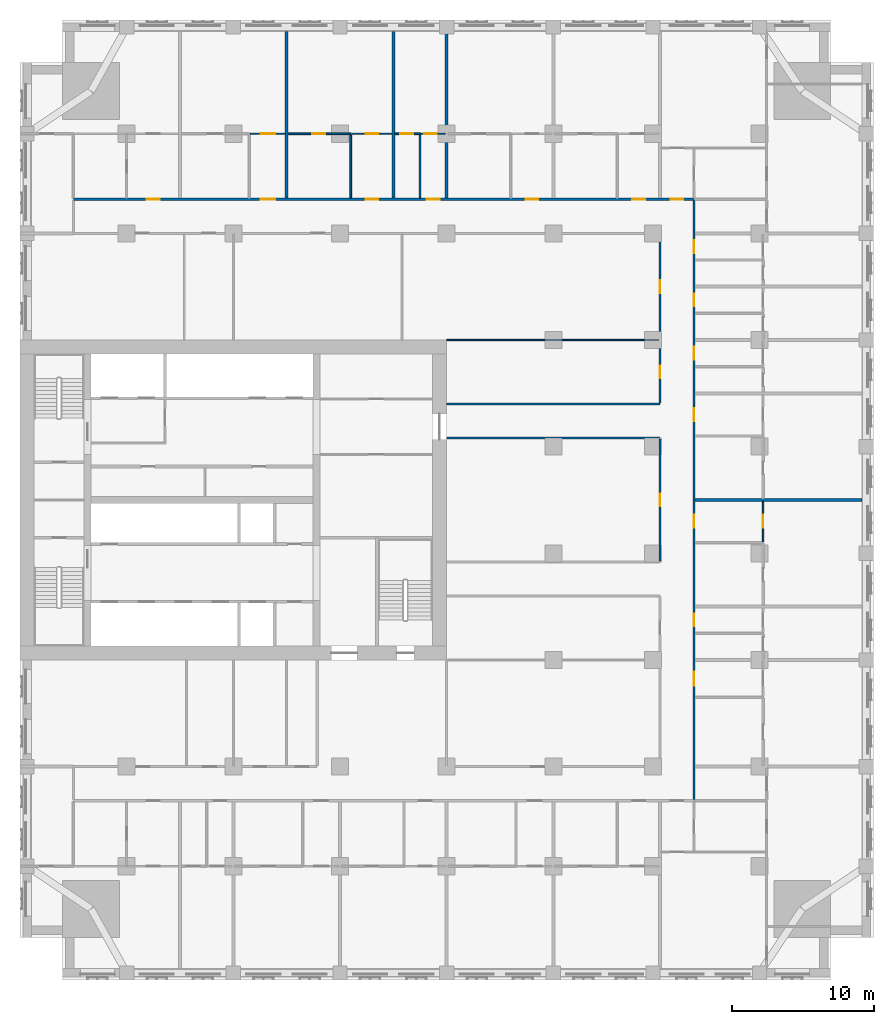
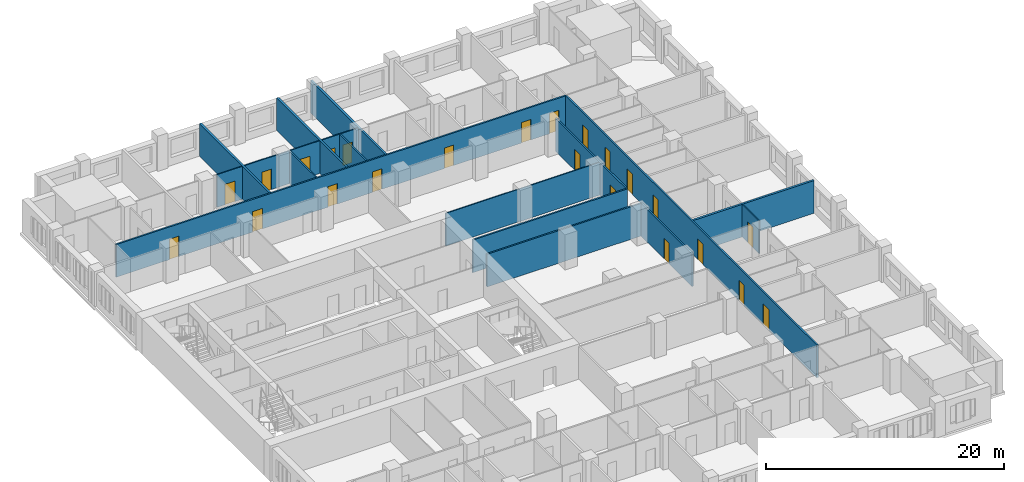
# One storey, part 9 of 14: 23 doors, 19 walls, 23 openings.
"""IFC4 building model written with IfcOpenShell, lengths in metres."""

import ifcopenshell
import ifcopenshell.guid

model = None  # the IFC model being written
_history = None  # IfcOwnerHistory: only IFC2X3 demands one
_inside = {}  # id of a spatial element -> (the spatial element, [elements in it])
_under = {}  # id of a project, library or spatial element -> (it, [spatial elements below it])
_declared = {}  # id of a project -> (the project, [libraries it declares])
_typed = {}  # id of a type object -> (the type object, [elements of that type])
_made_of = {}  # id of a material, layer set ... -> (it, [elements and type objects made of it])


def new_model(schema):
    """Start an empty IFC model of exactly this schema.

    Asked for "IFC4X3", IfcOpenShell would pick the latest addendum, in which some entities
    have other attributes; the version numbers below select the first issue.
    IFC2X3 requires an IfcOwnerHistory on every rooted entity: one is made here for all.
    """
    global model, _history
    if schema == "IFC4X3":
        model = ifcopenshell.file(schema_version=(4, 3, 0, 0))
    else:
        model = ifcopenshell.file(schema=schema)
    _inside.clear()
    _under.clear()
    _declared.clear()
    _typed.clear()
    _made_of.clear()
    _history = None
    if model.schema == "IFC2X3":
        org = make("IfcOrganization", Name="unknown")
        user = make(
            "IfcPersonAndOrganization",
            ThePerson=make("IfcPerson", FamilyName="unknown"),
            TheOrganization=org,
        )
        app = make(
            "IfcApplication",
            ApplicationDeveloper=org,
            Version="unknown",
            ApplicationFullName="unknown",
            ApplicationIdentifier="unknown",
        )
        _history = make(
            "IfcOwnerHistory",
            OwningUser=user,
            OwningApplication=app,
            ChangeAction="ADDED",
            CreationDate=0,
        )
    return model


def make(cls, **values):
    """One entity of the class cls with the attributes given. An attribute that is None is left unset."""
    return model.create_entity(
        cls, **{name: value for name, value in values.items() if value is not None}
    )


def rooted(cls, **values):
    """An entity with a GlobalId (a new one), such as an element, a storey or a relation."""
    return make(cls, GlobalId=ifcopenshell.guid.new(), OwnerHistory=_history, **values)


def si_unit(unit_type, name, prefix=None):
    """IfcSIUnit, for example si_unit("LENGTHUNIT", "METRE", prefix="MILLI")."""
    return make("IfcSIUnit", UnitType=unit_type, Prefix=prefix, Name=name)


def assignment(units):
    """IfcUnitAssignment: the units of a project."""
    return None if units is None else make("IfcUnitAssignment", Units=units)


def point(xyz):
    """IfcCartesianPoint."""
    return None if xyz is None else make("IfcCartesianPoint", Coordinates=xyz)


def direction(xyz):
    """IfcDirection."""
    return None if xyz is None else make("IfcDirection", DirectionRatios=xyz)


def frame(location, z_axis=None, x_axis=None):
    """IfcAxis2Placement3D, a coordinate frame: its origin and axes. An axis left out is left unset."""
    return make(
        "IfcAxis2Placement3D",
        Location=point(location),
        Axis=direction(z_axis),
        RefDirection=direction(x_axis),
    )


def frame_2d(location, x_axis=None):
    """IfcAxis2Placement2D, a coordinate frame in the plane: its origin and x axis."""
    return make(
        "IfcAxis2Placement2D", Location=point(location), RefDirection=direction(x_axis)
    )


def origin():
    """The frame at (0, 0, 0) with its axes left unset."""
    return frame((0.0, 0.0, 0.0))


def place(relative_to, where):
    """IfcLocalPlacement: puts the frame where relative to a parent placement (None: the world)."""
    return make(
        "IfcLocalPlacement", PlacementRelTo=relative_to, RelativePlacement=where
    )


def context(
    kind, dimensions, precision=None, world=None, true_north=None, identifier=None
):
    """IfcGeometricRepresentationContext, for example the 3D "Model" context."""
    return make(
        "IfcGeometricRepresentationContext",
        ContextIdentifier=identifier,
        ContextType=kind,
        CoordinateSpaceDimension=dimensions,
        Precision=precision,
        WorldCoordinateSystem=world,
        TrueNorth=true_north,
    )


def subcontext(parent, identifier, kind, view, scale=None):
    """IfcGeometricRepresentationSubContext, for example "Body" below "Model"."""
    return make(
        "IfcGeometricRepresentationSubContext",
        ContextIdentifier=identifier,
        ContextType=kind,
        ParentContext=parent,
        TargetScale=scale,
        TargetView=view,
    )


def project(units=None, contexts=None):
    """IfcProject with its units and contexts."""
    return rooted(
        "IfcProject",
        Name="project",
        RepresentationContexts=contexts,
        UnitsInContext=assignment(units),
    )


def spatial(cls, under=None, at=None, **own):
    """A site, building, storey or space (cls), placed at a placement, below another one or the project."""
    s = rooted(cls, ObjectPlacement=at, **own)
    if under is not None:
        _under.setdefault(under.id(), (under, []))[1].append(s)
    return s


def profile(cls, at=None, kind="AREA", **sizes):
    """A parametric profile (cls). Its sizes go by their IFC names, for example OverallWidth=200.0."""
    return make(cls, ProfileType=kind, Position=at, **sizes)


def rectangle(**sizes):
    """IfcRectangleProfileDef."""
    return profile("IfcRectangleProfileDef", **sizes)


def extrude(swept, where, along, depth):
    """IfcExtrudedAreaSolid: the profile swept, set in the frame where, extruded along a direction by depth."""
    return make(
        "IfcExtrudedAreaSolid",
        SweptArea=swept,
        Position=where,
        ExtrudedDirection=direction(along),
        Depth=depth,
    )


def shape(context_of_items, identifier, shape_type, items):
    """IfcShapeRepresentation: the items that make up one representation, for example the "Body"."""
    return make(
        "IfcShapeRepresentation",
        ContextOfItems=context_of_items,
        RepresentationIdentifier=identifier,
        RepresentationType=shape_type,
        Items=items,
    )


def material(Name=None, Category=None):
    """IfcMaterial."""
    return make("IfcMaterial", Name=Name, Category=Category)


def layer(
    of_material, thickness, ventilated=None, Name=None, Category=None, Priority=None
):
    """IfcMaterialLayer: one layer of a wall or slab, of a material (None: an air gap)."""
    return make(
        "IfcMaterialLayer",
        Material=of_material,
        LayerThickness=thickness,
        IsVentilated=ventilated,
        Name=Name,
        Category=Category,
        Priority=Priority,
    )


def layer_set(layers, Name=None):
    """IfcMaterialLayerSet."""
    return make("IfcMaterialLayerSet", MaterialLayers=layers, LayerSetName=Name)


def made_of(thing, what):
    """Note that an element or type object is made of a material, layer set ...; save() writes the relation."""
    if what is not None:
        _made_of.setdefault(what.id(), (what, []))[1].append(thing)
    return thing


def type_object(cls, material=None, **own):
    """A type object (cls), such as IfcWallType, which elements share."""
    return made_of(rooted(cls, **own), material)


def element(
    cls,
    number,
    at=None,
    inside=None,
    cuts=None,
    type_object=None,
    material=None,
    context=None,
    identifier="Body",
    shape_type=None,
    held_by="IfcProductDefinitionShape",
    body=None,
    shapes=None,
    **own,
):
    """One element of the class cls, such as IfcWall. Its Tag is "e" and its number.

    at: its placement. inside: the storey or other place that contains it. cuts: it is an
    opening in that element (IfcRelVoidsElement). A single representation is given by context,
    identifier, shape_type and body (its items); several are given by shapes. held_by: the class
    of the entity that holds the representations. save() writes the other relations.
    """
    e = rooted(cls, Tag="e%d" % number, ObjectPlacement=at, **own)
    if body is not None:
        shapes = [shape(context, identifier, shape_type, body)]
    if shapes is not None:
        e.Representation = make(held_by, Representations=shapes)
    if inside is not None:
        _inside.setdefault(inside.id(), (inside, []))[1].append(e)
    if cuts is not None:
        rooted(
            "IfcRelVoidsElement", RelatingBuildingElement=cuts, RelatedOpeningElement=e
        )
    if type_object is not None:
        _typed.setdefault(type_object.id(), (type_object, []))[1].append(e)
    return made_of(e, material)


def fill(opening, filler):
    """IfcRelFillsElement: the door or window that sits in an opening."""
    return rooted(
        "IfcRelFillsElement",
        RelatingOpeningElement=opening,
        RelatedBuildingElement=filler,
    )


def aggregate(whole, parts):
    """IfcRelAggregates: a whole, such as a stair, and the parts it consists of."""
    return rooted("IfcRelAggregates", RelatingObject=whole, RelatedObjects=parts)


def save(model, path):
    """Write the relations noted so far, then the file.

    IfcRelAggregates (storeys below a building ...), IfcRelContainedInSpatialStructure (elements
    in a storey), IfcRelDefinesByType, IfcRelAssociatesMaterial and IfcRelDeclares: one each for
    every whole, place, type object, material and project.
    """
    for whole, parts in _under.values():
        aggregate(whole, parts)
    for where, things in _inside.values():
        rooted(
            "IfcRelContainedInSpatialStructure",
            RelatedElements=things,
            RelatingStructure=where,
        )
    for kind, things in _typed.values():
        rooted("IfcRelDefinesByType", RelatedObjects=things, RelatingType=kind)
    for what, things in _made_of.values():
        rooted("IfcRelAssociatesMaterial", RelatedObjects=things, RelatingMaterial=what)
    for by, libraries in _declared.values():
        rooted("IfcRelDeclares", RelatingContext=by, RelatedDefinitions=libraries)
    model.write(path)


model = new_model("IFC4")

# Units and contexts
model_context = context("Model", 3, precision=1e-05, world=origin(), true_north=direction((0.0, 1.0)))
body_context = subcontext(model_context, "Body", "Model", "MODEL_VIEW")
ifc_project = project(units=[si_unit("LENGTHUNIT", "METRE"), si_unit("AREAUNIT", "SQUARE_METRE"), si_unit("VOLUMEUNIT", "CUBIC_METRE"), si_unit("PLANEANGLEUNIT", "RADIAN"), si_unit("MASSUNIT", "GRAM", prefix="KILO")], contexts=[model_context])

# Site, building, storey
site_placement = place(None, origin())
site = spatial("IfcSite", under=ifc_project, at=site_placement, CompositionType="ELEMENT")
building_placement = place(site_placement, origin())
building = spatial("IfcBuilding", under=site, at=building_placement, Name="Tamorin Gate", CompositionType="ELEMENT")
storey_placement = place(building_placement, frame((0.0, 0.0, 44.800048828125)))
storey = spatial("IfcBuildingStorey", under=building, at=storey_placement, Name="L09", CompositionType="ELEMENT", Elevation=44.800048828125)

# Wall, openings, doors
ifc_material_1 = material(Name="Gypsum board partition")
ifc_layer_1 = layer(ifc_material_1, 0.14990234375)
ifc_layer_set_1 = layer_set([ifc_layer_1], Name="Corridor wall 150")
wall_type_1 = type_object("IfcWallType", Name="Corridor wall 150", PredefinedType="PARTITIONING", material=ifc_layer_set_1)
wall_1_placement = place(storey_placement, frame((33.75, 92.39990234375, 0.0), z_axis=(0.0, 0.0, 1.0), x_axis=(1.0, 0.0, 0.0)))
wall_1 = element("IfcWall", 1, at=wall_1_placement, inside=storey, type_object=wall_type_1, Name="Corridor wall 150", PredefinedType="PARTITIONING", context=body_context, shape_type="SweptSolid", body=[
    extrude(rectangle(XDim=43.64990234375, YDim=0.14990234375, at=frame_2d((21.824951171875, 0.0))), origin(), (0.0, 0.0, 1.0), 3.349853515625),
])
opening_1_placement = place(wall_1_placement, frame((5.175048828125, 0.0, 0.0)))
opening_1 = element("IfcOpeningElement", 2, at=opening_1_placement, cuts=wall_1, Name="Opening DH4022", PredefinedType="OPENING", context=body_context, shape_type="SweptSolid", body=[
    extrude(rectangle(XDim=0.89990234375, YDim=2.10009765625, at=frame_2d((0.449951171875, 1.050048828125))), frame((0.0, 0.0849609375, 0.0), z_axis=(0.0, -1.0, 0.0), x_axis=(1.0, 0.0, 0.0)), (0.0, 0.0, 1.0), 0.169921875),
])
opening_2_placement = place(wall_1_placement, frame((13.1875, 0.0, 0.0)))
opening_2 = element("IfcOpeningElement", 3, at=opening_2_placement, cuts=wall_1, Name="Opening DH4025", PredefinedType="OPENING", context=body_context, shape_type="SweptSolid", body=[
    extrude(rectangle(XDim=1.0, YDim=2.10009765625, at=frame_2d((0.5, 1.050048828125))), frame((0.0, 0.0849609375, 0.0), z_axis=(0.0, -1.0, 0.0), x_axis=(1.0, 0.0, 0.0)), (0.0, 0.0, 1.0), 0.169921875),
])
opening_3_placement = place(wall_1_placement, frame((20.550048828125, 0.0, 0.0)))
opening_3 = element("IfcOpeningElement", 4, at=opening_3_placement, cuts=wall_1, Name="Opening DH4028", PredefinedType="OPENING", context=body_context, shape_type="SweptSolid", body=[
    extrude(rectangle(XDim=0.89990234375, YDim=2.10009765625, at=frame_2d((0.449951171875, 1.050048828125))), frame((0.0, 0.0849609375, 0.0), z_axis=(0.0, -1.0, 0.0), x_axis=(1.0, 0.0, 0.0)), (0.0, 0.0, 1.0), 0.169921875),
])
opening_4_placement = place(wall_1_placement, frame((24.862548828125, 0.0, 0.0)))
opening_4 = element("IfcOpeningElement", 5, at=opening_4_placement, cuts=wall_1, Name="Opening DH4031", PredefinedType="OPENING", context=body_context, shape_type="SweptSolid", body=[
    extrude(rectangle(XDim=0.89990234375, YDim=2.10009765625, at=frame_2d((0.449951171875, 1.050048828125))), frame((0.0, 0.0849609375, 0.0), z_axis=(0.0, -1.0, 0.0), x_axis=(1.0, 0.0, 0.0)), (0.0, 0.0, 1.0), 0.169921875),
])
opening_5_placement = place(wall_1_placement, frame((31.800048828125, 0.0, 0.0)))
opening_5 = element("IfcOpeningElement", 6, at=opening_5_placement, cuts=wall_1, Name="Opening DH4034", PredefinedType="OPENING", context=body_context, shape_type="SweptSolid", body=[
    extrude(rectangle(XDim=0.89990234375, YDim=2.10009765625, at=frame_2d((0.449951171875, 1.050048828125))), frame((0.0, 0.0849609375, 0.0), z_axis=(0.0, -1.0, 0.0), x_axis=(1.0, 0.0, 0.0)), (0.0, 0.0, 1.0), 0.169921875),
])
opening_6_placement = place(wall_1_placement, frame((39.300048828125, 0.0, 0.0)))
opening_6 = element("IfcOpeningElement", 7, at=opening_6_placement, cuts=wall_1, Name="Opening DH4037", PredefinedType="OPENING", context=body_context, shape_type="SweptSolid", body=[
    extrude(rectangle(XDim=0.89990234375, YDim=2.10009765625, at=frame_2d((0.449951171875, 1.050048828125))), frame((0.0, 0.0849609375, 0.0), z_axis=(0.0, -1.0, 0.0), x_axis=(1.0, 0.0, 0.0)), (0.0, 0.0, 1.0), 0.169921875),
])
opening_7_placement = place(wall_1_placement, frame((42.0, 0.0, 0.0)))
opening_7 = element("IfcOpeningElement", 8, at=opening_7_placement, cuts=wall_1, Name="Opening DH4066", PredefinedType="OPENING", context=body_context, shape_type="SweptSolid", body=[
    extrude(rectangle(XDim=0.89990234375, YDim=2.10009765625, at=frame_2d((0.449951171875, 1.050048828125))), frame((0.0, 0.0849609375, 0.0), z_axis=(0.0, -1.0, 0.0), x_axis=(1.0, 0.0, 0.0)), (0.0, 0.0, 1.0), 0.169921875),
])
ifc_material_2 = material(Name="Timber door leaf", Category="wood")
door_type_1 = type_object("IfcDoorType", Name="Door 1000 x 2100 FD30S", OperationType="NOTDEFINED", PredefinedType="DOOR", material=ifc_material_2)
door_1_placement = place(opening_2_placement, origin())
door_1 = element("IfcDoor", 9, at=door_1_placement, inside=storey, type_object=door_type_1, Name="Door DH4025", OperationType="SINGLE_SWING_LEFT", OverallHeight=2.10009765625, OverallWidth=1.0, PredefinedType="DOOR", context=body_context, shape_type="SweptSolid", body=[
    extrude(rectangle(XDim=1.0, YDim=2.10009765625, at=frame_2d((0.5, 1.050048828125))), frame((0.0, 0.02490234375, 0.0), z_axis=(0.0, -1.0, 0.0), x_axis=(1.0, 0.0, 0.0)), (0.0, 0.0, 1.0), 0.050048828125),
])
fill(opening_2, door_1)
door_type_2 = type_object("IfcDoorType", Name="Door 900 x 2100 FD30S", OperationType="NOTDEFINED", PredefinedType="DOOR", material=ifc_material_2)
door_2_placement = place(opening_1_placement, origin())
door_2 = element("IfcDoor", 10, at=door_2_placement, inside=storey, type_object=door_type_2, Name="Door DH4022", OperationType="SINGLE_SWING_LEFT", OverallHeight=2.10009765625, OverallWidth=0.89990234375, PredefinedType="DOOR", context=body_context, shape_type="SweptSolid", body=[
    extrude(rectangle(XDim=0.89990234375, YDim=2.10009765625, at=frame_2d((0.449951171875, 1.050048828125))), frame((0.0, 0.02490234375, 0.0), z_axis=(0.0, -1.0, 0.0), x_axis=(1.0, 0.0, 0.0)), (0.0, 0.0, 1.0), 0.050048828125),
])
fill(opening_1, door_2)
door_3_placement = place(opening_3_placement, origin())
door_3 = element("IfcDoor", 11, at=door_3_placement, inside=storey, type_object=door_type_2, Name="Door DH4028", OperationType="SINGLE_SWING_LEFT", OverallHeight=2.10009765625, OverallWidth=0.89990234375, PredefinedType="DOOR", context=body_context, shape_type="SweptSolid", body=[
    extrude(rectangle(XDim=0.89990234375, YDim=2.10009765625, at=frame_2d((0.449951171875, 1.050048828125))), frame((0.0, 0.02490234375, 0.0), z_axis=(0.0, -1.0, 0.0), x_axis=(1.0, 0.0, 0.0)), (0.0, 0.0, 1.0), 0.050048828125),
])
fill(opening_3, door_3)
door_4_placement = place(opening_4_placement, origin())
door_4 = element("IfcDoor", 12, at=door_4_placement, inside=storey, type_object=door_type_2, Name="Door DH4031", OperationType="SINGLE_SWING_LEFT", OverallHeight=2.10009765625, OverallWidth=0.89990234375, PredefinedType="DOOR", context=body_context, shape_type="SweptSolid", body=[
    extrude(rectangle(XDim=0.89990234375, YDim=2.10009765625, at=frame_2d((0.449951171875, 1.050048828125))), frame((0.0, 0.02490234375, 0.0), z_axis=(0.0, -1.0, 0.0), x_axis=(1.0, 0.0, 0.0)), (0.0, 0.0, 1.0), 0.050048828125),
])
fill(opening_4, door_4)
door_5_placement = place(opening_5_placement, origin())
door_5 = element("IfcDoor", 13, at=door_5_placement, inside=storey, type_object=door_type_2, Name="Door DH4034", OperationType="SINGLE_SWING_LEFT", OverallHeight=2.10009765625, OverallWidth=0.89990234375, PredefinedType="DOOR", context=body_context, shape_type="SweptSolid", body=[
    extrude(rectangle(XDim=0.89990234375, YDim=2.10009765625, at=frame_2d((0.449951171875, 1.050048828125))), frame((0.0, 0.02490234375, 0.0), z_axis=(0.0, -1.0, 0.0), x_axis=(1.0, 0.0, 0.0)), (0.0, 0.0, 1.0), 0.050048828125),
])
fill(opening_5, door_5)
door_6_placement = place(opening_6_placement, origin())
door_6 = element("IfcDoor", 14, at=door_6_placement, inside=storey, type_object=door_type_2, Name="Door DH4037", OperationType="SINGLE_SWING_LEFT", OverallHeight=2.10009765625, OverallWidth=0.89990234375, PredefinedType="DOOR", context=body_context, shape_type="SweptSolid", body=[
    extrude(rectangle(XDim=0.89990234375, YDim=2.10009765625, at=frame_2d((0.449951171875, 1.050048828125))), frame((0.0, 0.02490234375, 0.0), z_axis=(0.0, -1.0, 0.0), x_axis=(1.0, 0.0, 0.0)), (0.0, 0.0, 1.0), 0.050048828125),
])
fill(opening_6, door_6)
door_7_placement = place(opening_7_placement, origin())
door_7 = element("IfcDoor", 15, at=door_7_placement, inside=storey, type_object=door_type_2, Name="Door DH4066", OperationType="SINGLE_SWING_RIGHT", OverallHeight=2.10009765625, OverallWidth=0.89990234375, PredefinedType="DOOR", context=body_context, shape_type="SweptSolid", body=[
    extrude(rectangle(XDim=0.89990234375, YDim=2.10009765625, at=frame_2d((0.449951171875, 1.050048828125))), frame((0.0, 0.02490234375, 0.0), z_axis=(0.0, -1.0, 0.0), x_axis=(1.0, 0.0, 0.0)), (0.0, 0.0, 1.0), 0.050048828125),
])
fill(opening_7, door_7)

# Wall, opening, door
wall_2_placement = place(storey_placement, frame((75.0, 66.97509765625, 0.0), z_axis=(0.0, 0.0, 1.0), x_axis=(0.0, 1.0, 0.0)))
wall_2 = element("IfcWall", 16, at=wall_2_placement, inside=storey, type_object=wall_type_1, Name="Corridor wall 150", PredefinedType="PARTITIONING", context=body_context, shape_type="SweptSolid", body=[
    extrude(rectangle(XDim=8.5498046875, YDim=0.14990234375, at=frame_2d((4.27490234375, 0.0))), origin(), (0.0, 0.0, 1.0), 3.349853515625),
])
opening_8_placement = place(wall_2_placement, frame((3.824951171875, 0.0, 0.0)))
opening_8 = element("IfcOpeningElement", 17, at=opening_8_placement, cuts=wall_2, Name="Opening DH4082", PredefinedType="OPENING", context=body_context, shape_type="SweptSolid", body=[
    extrude(rectangle(XDim=0.89990234375, YDim=2.10009765625, at=frame_2d((0.449951171875, 1.050048828125))), frame((0.0, 0.0849609375, 0.0), z_axis=(0.0, -1.0, 0.0), x_axis=(1.0, 0.0, 0.0)), (0.0, 0.0, 1.0), 0.169921875),
])
door_8_placement = place(opening_8_placement, origin())
door_8 = element("IfcDoor", 18, at=door_8_placement, inside=storey, type_object=door_type_2, Name="Door DH4082", OperationType="SINGLE_SWING_LEFT", OverallHeight=2.10009765625, OverallWidth=0.89990234375, PredefinedType="DOOR", context=body_context, shape_type="SweptSolid", body=[
    extrude(rectangle(XDim=0.89990234375, YDim=2.10009765625, at=frame_2d((0.449951171875, 1.050048828125))), frame((0.0, 0.02490234375, 0.0), z_axis=(0.0, -1.0, 0.0), x_axis=(1.0, 0.0, 0.0)), (0.0, 0.0, 1.0), 0.050048828125),
])
fill(opening_8, door_8)

# Wall, openings, doors
wall_3_placement = place(storey_placement, frame((75.0, 78.074951171875, 0.0), z_axis=(0.0, 0.0, 1.0), x_axis=(0.0, 1.0, 0.0)))
wall_3 = element("IfcWall", 19, at=wall_3_placement, inside=storey, type_object=wall_type_1, Name="Corridor wall 150", PredefinedType="PARTITIONING", context=body_context, shape_type="SweptSolid", body=[
    extrude(rectangle(XDim=11.85009765625, YDim=0.14990234375, at=frame_2d((5.925048828125, 0.0))), origin(), (0.0, 0.0, 1.0), 3.349853515625),
])
opening_9_placement = place(wall_3_placement, frame((7.72509765625, 0.0, 0.0)))
opening_9 = element("IfcOpeningElement", 20, at=opening_9_placement, cuts=wall_3, Name="Opening DH4080", PredefinedType="OPENING", context=body_context, shape_type="SweptSolid", body=[
    extrude(rectangle(XDim=0.89990234375, YDim=2.10009765625, at=frame_2d((0.449951171875, 1.050048828125))), frame((0.0, 0.0849609375, 0.0), z_axis=(0.0, -1.0, 0.0), x_axis=(1.0, 0.0, 0.0)), (0.0, 0.0, 1.0), 0.169921875),
])
opening_10_placement = place(wall_3_placement, frame((1.72509765625, 0.0, 0.0)))
opening_10 = element("IfcOpeningElement", 21, at=opening_10_placement, cuts=wall_3, Name="Opening DH4083", PredefinedType="OPENING", context=body_context, shape_type="SweptSolid", body=[
    extrude(rectangle(XDim=0.89990234375, YDim=2.10009765625, at=frame_2d((0.449951171875, 1.050048828125))), frame((0.0, 0.0849609375, 0.0), z_axis=(0.0, -1.0, 0.0), x_axis=(1.0, 0.0, 0.0)), (0.0, 0.0, 1.0), 0.169921875),
])
door_9_placement = place(opening_9_placement, origin())
door_9 = element("IfcDoor", 22, at=door_9_placement, inside=storey, type_object=door_type_2, Name="Door DH4080", OperationType="SINGLE_SWING_LEFT", OverallHeight=2.10009765625, OverallWidth=0.89990234375, PredefinedType="DOOR", context=body_context, shape_type="SweptSolid", body=[
    extrude(rectangle(XDim=0.89990234375, YDim=2.10009765625, at=frame_2d((0.449951171875, 1.050048828125))), frame((0.0, 0.02490234375, 0.0), z_axis=(0.0, -1.0, 0.0), x_axis=(1.0, 0.0, 0.0)), (0.0, 0.0, 1.0), 0.050048828125),
])
fill(opening_9, door_9)
door_10_placement = place(opening_10_placement, origin())
door_10 = element("IfcDoor", 23, at=door_10_placement, inside=storey, type_object=door_type_2, Name="Door DH4083", OperationType="SINGLE_SWING_LEFT", OverallHeight=2.10009765625, OverallWidth=0.89990234375, PredefinedType="DOOR", context=body_context, shape_type="SweptSolid", body=[
    extrude(rectangle(XDim=0.89990234375, YDim=2.10009765625, at=frame_2d((0.449951171875, 1.050048828125))), frame((0.0, 0.02490234375, 0.0), z_axis=(0.0, -1.0, 0.0), x_axis=(1.0, 0.0, 0.0)), (0.0, 0.0, 1.0), 0.050048828125),
])
fill(opening_10, door_10)

wall_4_placement = place(storey_placement, frame((77.39990234375, 50.175048828125, 0.0), z_axis=(0.0, 0.0, 1.0), x_axis=(0.0, 1.0, 0.0)))
wall_4 = element("IfcWall", 24, at=wall_4_placement, inside=storey, type_object=wall_type_1, Name="Corridor wall 150", PredefinedType="PARTITIONING", context=body_context, shape_type="SweptSolid", body=[
    extrude(rectangle(XDim=42.14990234375, YDim=0.14990234375, at=frame_2d((21.074951171875, 0.0))), origin(), (0.0, 0.0, 1.0), 3.349853515625),
])
opening_11_placement = place(wall_4_placement, frame((8.012451171875, 0.0, 0.0)))
opening_11 = element("IfcOpeningElement", 25, at=opening_11_placement, cuts=wall_4, Name="Opening DH4040", PredefinedType="OPENING", context=body_context, shape_type="SweptSolid", body=[
    extrude(rectangle(XDim=1.0, YDim=2.10009765625, at=frame_2d((0.5, 1.050048828125))), frame((0.0, 0.0849609375, 0.0), z_axis=(0.0, -1.0, 0.0), x_axis=(1.0, 0.0, 0.0)), (0.0, 0.0, 1.0), 0.169921875),
])
opening_12_placement = place(wall_4_placement, frame((12.1875, 0.0, 0.0)))
opening_12 = element("IfcOpeningElement", 26, at=opening_12_placement, cuts=wall_4, Name="Opening DH4043", PredefinedType="OPENING", context=body_context, shape_type="SweptSolid", body=[
    extrude(rectangle(XDim=0.89990234375, YDim=2.10009765625, at=frame_2d((0.449951171875, 1.050048828125))), frame((0.0, 0.0849609375, 0.0), z_axis=(0.0, -1.0, 0.0), x_axis=(1.0, 0.0, 0.0)), (0.0, 0.0, 1.0), 0.169921875),
])
opening_13_placement = place(wall_4_placement, frame((19.125, 0.0, 0.0)))
opening_13 = element("IfcOpeningElement", 27, at=opening_13_placement, cuts=wall_4, Name="Opening DH4046", PredefinedType="OPENING", context=body_context, shape_type="SweptSolid", body=[
    extrude(rectangle(XDim=0.89990234375, YDim=2.10009765625, at=frame_2d((0.449951171875, 1.050048828125))), frame((0.0, 0.0849609375, 0.0), z_axis=(0.0, -1.0, 0.0), x_axis=(1.0, 0.0, 0.0)), (0.0, 0.0, 1.0), 0.169921875),
])
opening_14_placement = place(wall_4_placement, frame((26.625, 0.0, 0.0)))
opening_14 = element("IfcOpeningElement", 28, at=opening_14_placement, cuts=wall_4, Name="Opening DH4049", PredefinedType="OPENING", context=body_context, shape_type="SweptSolid", body=[
    extrude(rectangle(XDim=0.89990234375, YDim=2.10009765625, at=frame_2d((0.449951171875, 1.050048828125))), frame((0.0, 0.0849609375, 0.0), z_axis=(0.0, -1.0, 0.0), x_axis=(1.0, 0.0, 0.0)), (0.0, 0.0, 1.0), 0.169921875),
])
opening_15_placement = place(wall_4_placement, frame((30.9375, 0.0, 0.0)))
opening_15 = element("IfcOpeningElement", 29, at=opening_15_placement, cuts=wall_4, Name="Opening DH4052", PredefinedType="OPENING", context=body_context, shape_type="SweptSolid", body=[
    extrude(rectangle(XDim=0.89990234375, YDim=2.10009765625, at=frame_2d((0.449951171875, 1.050048828125))), frame((0.0, 0.0849609375, 0.0), z_axis=(0.0, -1.0, 0.0), x_axis=(1.0, 0.0, 0.0)), (0.0, 0.0, 1.0), 0.169921875),
])
opening_16_placement = place(wall_4_placement, frame((34.6875, 0.0, 0.0)))
opening_16 = element("IfcOpeningElement", 30, at=opening_16_placement, cuts=wall_4, Name="Opening DH4055", PredefinedType="OPENING", context=body_context, shape_type="SweptSolid", body=[
    extrude(rectangle(XDim=0.89990234375, YDim=2.10009765625, at=frame_2d((0.449951171875, 1.050048828125))), frame((0.0, 0.0849609375, 0.0), z_axis=(0.0, -1.0, 0.0), x_axis=(1.0, 0.0, 0.0)), (0.0, 0.0, 1.0), 0.169921875),
])
opening_17_placement = place(wall_4_placement, frame((38.4375, 0.0, 0.0)))
opening_17 = element("IfcOpeningElement", 31, at=opening_17_placement, cuts=wall_4, Name="Opening DH4058", PredefinedType="OPENING", context=body_context, shape_type="SweptSolid", body=[
    extrude(rectangle(XDim=0.89990234375, YDim=2.10009765625, at=frame_2d((0.449951171875, 1.050048828125))), frame((0.0, 0.0849609375, 0.0), z_axis=(0.0, -1.0, 0.0), x_axis=(1.0, 0.0, 0.0)), (0.0, 0.0, 1.0), 0.169921875),
])
door_11_placement = place(opening_11_placement, origin())
door_11 = element("IfcDoor", 32, at=door_11_placement, inside=storey, type_object=door_type_1, Name="Door DH4040", OperationType="SINGLE_SWING_RIGHT", OverallHeight=2.10009765625, OverallWidth=1.0, PredefinedType="DOOR", context=body_context, shape_type="SweptSolid", body=[
    extrude(rectangle(XDim=1.0, YDim=2.10009765625, at=frame_2d((0.5, 1.050048828125))), frame((0.0, 0.02490234375, 0.0), z_axis=(0.0, -1.0, 0.0), x_axis=(1.0, 0.0, 0.0)), (0.0, 0.0, 1.0), 0.050048828125),
])
fill(opening_11, door_11)
door_12_placement = place(opening_12_placement, origin())
door_12 = element("IfcDoor", 33, at=door_12_placement, inside=storey, type_object=door_type_2, Name="Door DH4043", OperationType="SINGLE_SWING_RIGHT", OverallHeight=2.10009765625, OverallWidth=0.89990234375, PredefinedType="DOOR", context=body_context, shape_type="SweptSolid", body=[
    extrude(rectangle(XDim=0.89990234375, YDim=2.10009765625, at=frame_2d((0.449951171875, 1.050048828125))), frame((0.0, 0.02490234375, 0.0), z_axis=(0.0, -1.0, 0.0), x_axis=(1.0, 0.0, 0.0)), (0.0, 0.0, 1.0), 0.050048828125),
])
fill(opening_12, door_12)
door_13_placement = place(opening_13_placement, origin())
door_13 = element("IfcDoor", 34, at=door_13_placement, inside=storey, type_object=door_type_2, Name="Door DH4046", OperationType="SINGLE_SWING_RIGHT", OverallHeight=2.10009765625, OverallWidth=0.89990234375, PredefinedType="DOOR", context=body_context, shape_type="SweptSolid", body=[
    extrude(rectangle(XDim=0.89990234375, YDim=2.10009765625, at=frame_2d((0.449951171875, 1.050048828125))), frame((0.0, 0.02490234375, 0.0), z_axis=(0.0, -1.0, 0.0), x_axis=(1.0, 0.0, 0.0)), (0.0, 0.0, 1.0), 0.050048828125),
])
fill(opening_13, door_13)
door_14_placement = place(opening_14_placement, origin())
door_14 = element("IfcDoor", 35, at=door_14_placement, inside=storey, type_object=door_type_2, Name="Door DH4049", OperationType="SINGLE_SWING_RIGHT", OverallHeight=2.10009765625, OverallWidth=0.89990234375, PredefinedType="DOOR", context=body_context, shape_type="SweptSolid", body=[
    extrude(rectangle(XDim=0.89990234375, YDim=2.10009765625, at=frame_2d((0.449951171875, 1.050048828125))), frame((0.0, 0.02490234375, 0.0), z_axis=(0.0, -1.0, 0.0), x_axis=(1.0, 0.0, 0.0)), (0.0, 0.0, 1.0), 0.050048828125),
])
fill(opening_14, door_14)
door_15_placement = place(opening_15_placement, origin())
door_15 = element("IfcDoor", 36, at=door_15_placement, inside=storey, type_object=door_type_2, Name="Door DH4052", OperationType="SINGLE_SWING_RIGHT", OverallHeight=2.10009765625, OverallWidth=0.89990234375, PredefinedType="DOOR", context=body_context, shape_type="SweptSolid", body=[
    extrude(rectangle(XDim=0.89990234375, YDim=2.10009765625, at=frame_2d((0.449951171875, 1.050048828125))), frame((0.0, 0.02490234375, 0.0), z_axis=(0.0, -1.0, 0.0), x_axis=(1.0, 0.0, 0.0)), (0.0, 0.0, 1.0), 0.050048828125),
])
fill(opening_15, door_15)
door_16_placement = place(opening_16_placement, origin())
door_16 = element("IfcDoor", 37, at=door_16_placement, inside=storey, type_object=door_type_2, Name="Door DH4055", OperationType="SINGLE_SWING_RIGHT", OverallHeight=2.10009765625, OverallWidth=0.89990234375, PredefinedType="DOOR", context=body_context, shape_type="SweptSolid", body=[
    extrude(rectangle(XDim=0.89990234375, YDim=2.10009765625, at=frame_2d((0.449951171875, 1.050048828125))), frame((0.0, 0.02490234375, 0.0), z_axis=(0.0, -1.0, 0.0), x_axis=(1.0, 0.0, 0.0)), (0.0, 0.0, 1.0), 0.050048828125),
])
fill(opening_16, door_16)
door_17_placement = place(opening_17_placement, origin())
door_17 = element("IfcDoor", 38, at=door_17_placement, inside=storey, type_object=door_type_2, Name="Door DH4058", OperationType="SINGLE_SWING_RIGHT", OverallHeight=2.10009765625, OverallWidth=0.89990234375, PredefinedType="DOOR", context=body_context, shape_type="SweptSolid", body=[
    extrude(rectangle(XDim=0.89990234375, YDim=2.10009765625, at=frame_2d((0.449951171875, 1.050048828125))), frame((0.0, 0.02490234375, 0.0), z_axis=(0.0, -1.0, 0.0), x_axis=(1.0, 0.0, 0.0)), (0.0, 0.0, 1.0), 0.050048828125),
])
fill(opening_17, door_17)

# Walls
ifc_layer_2 = layer(ifc_material_1, 0.199951171875)
ifc_layer_set_2 = layer_set([ifc_layer_2], Name="Demising wall 200")
wall_type_2 = type_object("IfcWallType", Name="Demising wall 200", PredefinedType="PARTITIONING", material=ifc_layer_set_2)
for number, where, z_axis, x_axis, name in (
    (39, (77.47509765625, 71.25, 0.0), (0.0, 0.0, 1.0), (1.0, 0.0, 0.0), "Demising wall 200"),
    (40, (48.75, 92.47509765625, 0.0), (0.0, 0.0, 1.0), (0.0, 1.0, 0.0), "Demising wall 200"),
    (41, (56.25, 92.47509765625, 0.0), (0.0, 0.0, 1.0), (0.0, 1.0, 0.0), "Demising wall 200"),
):
    element("IfcWall", number, at=place(storey_placement, frame(where, z_axis=z_axis, x_axis=x_axis)), inside=storey, type_object=wall_type_2, Name=name, PredefinedType="PARTITIONING", context=body_context, shape_type="SweptSolid", body=[
        extrude(rectangle(XDim=11.71484375, YDim=0.199951171875, at=frame_2d((5.857421875, 0.0))), origin(), (0.0, 0.0, 1.0), 3.349853515625),
    ])
wall_5_placement = place(storey_placement, frame((60.0, 92.47509765625, 0.0), z_axis=(0.0, 0.0, 1.0), x_axis=(0.0, 1.0, 0.0)))
element("IfcWall", 42, at=wall_5_placement, inside=storey, type_object=wall_type_2, Name="Demising wall 200", PredefinedType="PARTITIONING", context=body_context, shape_type="SweptSolid", body=[
    extrude(rectangle(XDim=12.52490234375, YDim=0.199951171875, at=frame_2d((6.262451171875, 0.0))), origin(), (0.0, 0.0, 1.0), 3.349853515625),
])
ifc_layer_3 = layer(ifc_material_1, 0.14990234375)
ifc_layer_set_3 = layer_set([ifc_layer_3], Name="Lobby wall 150")
wall_type_3 = type_object("IfcWallType", Name="Lobby wall 150", PredefinedType="PARTITIONING", material=ifc_layer_set_3)
for number, where, z_axis, x_axis, name in (
    (43, (60.0, 75.60009765625, 0.0), (0.0, 0.0, 1.0), (1.0, 0.0, 0.0), "Lobby wall 150"),
    (44, (60.0, 78.0, 0.0), (0.0, 0.0, 1.0), (1.0, 0.0, 0.0), "Lobby wall 150"),
):
    element("IfcWall", number, at=place(storey_placement, frame(where, z_axis=z_axis, x_axis=x_axis)), inside=storey, type_object=wall_type_3, Name=name, PredefinedType="PARTITIONING", context=body_context, shape_type="SweptSolid", body=[
        extrude(rectangle(XDim=15.0, YDim=0.14990234375, at=frame_2d((7.5, 0.0))), origin(), (0.0, 0.0, 1.0), 3.349853515625),
    ])
ifc_layer_4 = layer(ifc_material_1, 0.10009765625)
ifc_layer_set_4 = layer_set([ifc_layer_4], Name="Room partition 100")
wall_type_4 = type_object("IfcWallType", Name="Room partition 100", PredefinedType="PARTITIONING", material=ifc_layer_set_4)
wall_6_placement = place(storey_placement, frame((60.0, 82.5, 0.0), z_axis=(0.0, 0.0, 1.0), x_axis=(1.0, 0.0, 0.0)))
element("IfcWall", 45, at=wall_6_placement, inside=storey, type_object=wall_type_4, Name="Room partition 100", PredefinedType="PARTITIONING", context=body_context, shape_type="SweptSolid", body=[
    extrude(rectangle(XDim=14.925048828125, YDim=0.10009765625, at=frame_2d((7.46240234375, 0.0))), origin(), (0.0, 0.0, 1.0), 3.349853515625),
])

# Wall, opening, door
wall_7_placement = place(storey_placement, frame((46.1875, 97.0, 0.0), z_axis=(0.0, 0.0, 1.0), x_axis=(1.0, 0.0, 0.0)))
wall_7 = element("IfcWall", 46, at=wall_7_placement, inside=storey, type_object=wall_type_4, Name="Room partition 100", PredefinedType="PARTITIONING", context=body_context, shape_type="SweptSolid", body=[
    extrude(rectangle(XDim=2.46240234375, YDim=0.10009765625, at=frame_2d((1.231201171875, 0.0))), origin(), (0.0, 0.0, 1.0), 3.349853515625),
])
opening_18_placement = place(wall_7_placement, frame((0.75, 0.0, 0.0)))
opening_18 = element("IfcOpeningElement", 47, at=opening_18_placement, cuts=wall_7, Name="Opening DH4026", PredefinedType="OPENING", context=body_context, shape_type="SweptSolid", body=[
    extrude(rectangle(XDim=1.0, YDim=2.10009765625, at=frame_2d((0.5, 1.050048828125))), frame((0.0, 0.06005859375, 0.0), z_axis=(0.0, -1.0, 0.0), x_axis=(1.0, 0.0, 0.0)), (0.0, 0.0, 1.0), 0.1201171875),
])
door_type_3 = type_object("IfcDoorType", Name="Door 1000 x 2100", OperationType="NOTDEFINED", PredefinedType="DOOR", material=ifc_material_2)
door_18_placement = place(opening_18_placement, origin())
door_18 = element("IfcDoor", 48, at=door_18_placement, inside=storey, type_object=door_type_3, Name="Door DH4026", OperationType="SINGLE_SWING_RIGHT", OverallHeight=2.10009765625, OverallWidth=1.0, PredefinedType="DOOR", context=body_context, shape_type="SweptSolid", body=[
    extrude(rectangle(XDim=1.0, YDim=2.10009765625, at=frame_2d((0.5, 1.050048828125))), frame((0.0, 0.02490234375, 0.0), z_axis=(0.0, -1.0, 0.0), x_axis=(1.0, 0.0, 0.0)), (0.0, 0.0, 1.0), 0.050048828125),
])
fill(opening_18, door_18)

wall_8_placement = place(storey_placement, frame((53.3125, 97.0, 0.0), z_axis=(0.0, 0.0, 1.0), x_axis=(1.0, 0.0, 0.0)))
wall_8 = element("IfcWall", 49, at=wall_8_placement, inside=storey, type_object=wall_type_4, Name="Room partition 100", PredefinedType="PARTITIONING", context=body_context, shape_type="SweptSolid", body=[
    extrude(rectangle(XDim=2.83740234375, YDim=0.10009765625, at=frame_2d((1.418701171875, 0.0))), origin(), (0.0, 0.0, 1.0), 3.349853515625),
])
opening_19_placement = place(wall_8_placement, frame((0.987548828125, 0.0, 0.0)))
opening_19 = element("IfcOpeningElement", 50, at=opening_19_placement, cuts=wall_8, Name="Opening DH4029", PredefinedType="OPENING", context=body_context, shape_type="SweptSolid", body=[
    extrude(rectangle(XDim=0.89990234375, YDim=2.10009765625, at=frame_2d((0.449951171875, 1.050048828125))), frame((0.0, 0.06005859375, 0.0), z_axis=(0.0, -1.0, 0.0), x_axis=(1.0, 0.0, 0.0)), (0.0, 0.0, 1.0), 0.1201171875),
])
door_type_4 = type_object("IfcDoorType", Name="Door 900 x 2100", OperationType="NOTDEFINED", PredefinedType="DOOR", material=ifc_material_2)
door_19_placement = place(opening_19_placement, origin())
door_19 = element("IfcDoor", 51, at=door_19_placement, inside=storey, type_object=door_type_4, Name="Door DH4029", OperationType="SINGLE_SWING_RIGHT", OverallHeight=2.10009765625, OverallWidth=0.89990234375, PredefinedType="DOOR", context=body_context, shape_type="SweptSolid", body=[
    extrude(rectangle(XDim=0.89990234375, YDim=2.10009765625, at=frame_2d((0.449951171875, 1.050048828125))), frame((0.0, 0.02490234375, 0.0), z_axis=(0.0, -1.0, 0.0), x_axis=(1.0, 0.0, 0.0)), (0.0, 0.0, 1.0), 0.050048828125),
])
fill(opening_19, door_19)

wall_9_placement = place(storey_placement, frame((58.1875, 97.0, 0.0), z_axis=(0.0, 0.0, 1.0), x_axis=(1.0, 0.0, 0.0)))
wall_9 = element("IfcWall", 52, at=wall_9_placement, inside=storey, type_object=wall_type_4, Name="Room partition 100", PredefinedType="PARTITIONING", context=body_context, shape_type="SweptSolid", body=[
    extrude(rectangle(XDim=1.71240234375, YDim=0.10009765625, at=frame_2d((0.856201171875, 0.0))), origin(), (0.0, 0.0, 1.0), 3.349853515625),
])
opening_20_placement = place(wall_9_placement, frame((0.22509765625, 0.0, 0.0)))
opening_20 = element("IfcOpeningElement", 53, at=opening_20_placement, cuts=wall_9, Name="Opening DH4032", PredefinedType="OPENING", context=body_context, shape_type="SweptSolid", body=[
    extrude(rectangle(XDim=0.89990234375, YDim=2.10009765625, at=frame_2d((0.449951171875, 1.050048828125))), frame((0.0, 0.06005859375, 0.0), z_axis=(0.0, -1.0, 0.0), x_axis=(1.0, 0.0, 0.0)), (0.0, 0.0, 1.0), 0.1201171875),
])
door_20_placement = place(opening_20_placement, origin())
door_20 = element("IfcDoor", 54, at=door_20_placement, inside=storey, type_object=door_type_4, Name="Door DH4032", OperationType="SINGLE_SWING_RIGHT", OverallHeight=2.10009765625, OverallWidth=0.89990234375, PredefinedType="DOOR", context=body_context, shape_type="SweptSolid", body=[
    extrude(rectangle(XDim=0.89990234375, YDim=2.10009765625, at=frame_2d((0.449951171875, 1.050048828125))), frame((0.0, 0.02490234375, 0.0), z_axis=(0.0, -1.0, 0.0), x_axis=(1.0, 0.0, 0.0)), (0.0, 0.0, 1.0), 0.050048828125),
])
fill(opening_20, door_20)

wall_10_placement = place(storey_placement, frame((82.25, 68.3125, 0.0), z_axis=(0.0, 0.0, 1.0), x_axis=(0.0, 1.0, 0.0)))
wall_10 = element("IfcWall", 55, at=wall_10_placement, inside=storey, type_object=wall_type_4, Name="Room partition 100", PredefinedType="PARTITIONING", context=body_context, shape_type="SweptSolid", body=[
    extrude(rectangle(XDim=2.83740234375, YDim=0.10009765625, at=frame_2d((1.418701171875, 0.0))), origin(), (0.0, 0.0, 1.0), 3.349853515625),
])
opening_21_placement = place(wall_10_placement, frame((0.987548828125, 0.0, 0.0)))
opening_21 = element("IfcOpeningElement", 56, at=opening_21_placement, cuts=wall_10, Name="Opening DH4047", PredefinedType="OPENING", context=body_context, shape_type="SweptSolid", body=[
    extrude(rectangle(XDim=0.89990234375, YDim=2.10009765625, at=frame_2d((0.449951171875, 1.050048828125))), frame((0.0, 0.06005859375, 0.0), z_axis=(0.0, -1.0, 0.0), x_axis=(1.0, 0.0, 0.0)), (0.0, 0.0, 1.0), 0.1201171875),
])
door_21_placement = place(opening_21_placement, origin())
door_21 = element("IfcDoor", 57, at=door_21_placement, inside=storey, type_object=door_type_4, Name="Door DH4047", OperationType="SINGLE_SWING_LEFT", OverallHeight=2.10009765625, OverallWidth=0.89990234375, PredefinedType="DOOR", context=body_context, shape_type="SweptSolid", body=[
    extrude(rectangle(XDim=0.89990234375, YDim=2.10009765625, at=frame_2d((0.449951171875, 1.050048828125))), frame((0.0, 0.02490234375, 0.0), z_axis=(0.0, -1.0, 0.0), x_axis=(1.0, 0.0, 0.0)), (0.0, 0.0, 1.0), 0.050048828125),
])
fill(opening_21, door_21)

ifc_layer_5 = layer(ifc_material_1, 0.125)
ifc_layer_set_5 = layer_set([ifc_layer_5], Name="Wet wall 125")
wall_type_5 = type_object("IfcWallType", Name="Wet wall 125", PredefinedType="PARTITIONING", material=ifc_layer_set_5)
wall_11_placement = place(storey_placement, frame((48.85009765625, 97.0, 0.0), z_axis=(0.0, 0.0, 1.0), x_axis=(1.0, 0.0, 0.0)))
wall_11 = element("IfcWall", 58, at=wall_11_placement, inside=storey, type_object=wall_type_5, Name="Wet wall 125", PredefinedType="PARTITIONING", context=body_context, shape_type="SweptSolid", body=[
    extrude(rectangle(XDim=4.39990234375, YDim=0.125, at=frame_2d((2.199951171875, 0.0))), origin(), (0.0, 0.0, 1.0), 3.349853515625),
])
opening_22_placement = place(wall_11_placement, frame((1.699951171875, 0.0, 0.0)))
opening_22 = element("IfcOpeningElement", 59, at=opening_22_placement, cuts=wall_11, Name="Opening DH4027", PredefinedType="OPENING", context=body_context, shape_type="SweptSolid", body=[
    extrude(rectangle(XDim=0.89990234375, YDim=2.10009765625, at=frame_2d((0.449951171875, 1.050048828125))), frame((0.0, 0.072509765625, 0.0), z_axis=(0.0, -1.0, 0.0), x_axis=(1.0, 0.0, 0.0)), (0.0, 0.0, 1.0), 0.14501953125),
])
door_22_placement = place(opening_22_placement, origin())
door_22 = element("IfcDoor", 60, at=door_22_placement, inside=storey, type_object=door_type_4, Name="Door DH4027", OperationType="SINGLE_SWING_RIGHT", OverallHeight=2.10009765625, OverallWidth=0.89990234375, PredefinedType="DOOR", context=body_context, shape_type="SweptSolid", body=[
    extrude(rectangle(XDim=0.89990234375, YDim=2.10009765625, at=frame_2d((0.449951171875, 1.050048828125))), frame((0.0, 0.02490234375, 0.0), z_axis=(0.0, -1.0, 0.0), x_axis=(1.0, 0.0, 0.0)), (0.0, 0.0, 1.0), 0.050048828125),
])
fill(opening_22, door_22)

wall_12_placement = place(storey_placement, frame((56.35009765625, 97.0, 0.0), z_axis=(0.0, 0.0, 1.0), x_axis=(1.0, 0.0, 0.0)))
wall_12 = element("IfcWall", 61, at=wall_12_placement, inside=storey, type_object=wall_type_5, Name="Wet wall 125", PredefinedType="PARTITIONING", context=body_context, shape_type="SweptSolid", body=[
    extrude(rectangle(XDim=1.77490234375, YDim=0.125, at=frame_2d((0.887451171875, 0.0))), origin(), (0.0, 0.0, 1.0), 3.349853515625),
])
opening_23_placement = place(wall_12_placement, frame((0.387451171875, 0.0, 0.0)))
opening_23 = element("IfcOpeningElement", 62, at=opening_23_placement, cuts=wall_12, Name="Opening DH4030", PredefinedType="OPENING", context=body_context, shape_type="SweptSolid", body=[
    extrude(rectangle(XDim=0.89990234375, YDim=2.10009765625, at=frame_2d((0.449951171875, 1.050048828125))), frame((0.0, 0.072509765625, 0.0), z_axis=(0.0, -1.0, 0.0), x_axis=(1.0, 0.0, 0.0)), (0.0, 0.0, 1.0), 0.14501953125),
])
door_23_placement = place(opening_23_placement, origin())
door_23 = element("IfcDoor", 63, at=door_23_placement, inside=storey, type_object=door_type_4, Name="Door DH4030", OperationType="SINGLE_SWING_RIGHT", OverallHeight=2.10009765625, OverallWidth=0.89990234375, PredefinedType="DOOR", context=body_context, shape_type="SweptSolid", body=[
    extrude(rectangle(XDim=0.89990234375, YDim=2.10009765625, at=frame_2d((0.449951171875, 1.050048828125))), frame((0.0, 0.02490234375, 0.0), z_axis=(0.0, -1.0, 0.0), x_axis=(1.0, 0.0, 0.0)), (0.0, 0.0, 1.0), 0.050048828125),
])
fill(opening_23, door_23)

# Walls
for number, where, z_axis, x_axis, name in (
    (64, (53.25, 92.47509765625, 0.0), (0.0, 0.0, 1.0), (0.0, 1.0, 0.0), "Wet wall 125"),
    (65, (58.125, 92.47509765625, 0.0), (0.0, 0.0, 1.0), (0.0, 1.0, 0.0), "Wet wall 125"),
):
    element("IfcWall", number, at=place(storey_placement, frame(where, z_axis=z_axis, x_axis=x_axis)), inside=storey, type_object=wall_type_5, Name=name, PredefinedType="PARTITIONING", context=body_context, shape_type="SweptSolid", body=[
        extrude(rectangle(XDim=4.46240234375, YDim=0.125, at=frame_2d((2.231201171875, 0.0))), origin(), (0.0, 0.0, 1.0), 3.349853515625),
    ])

save(model, "model.ifc")
